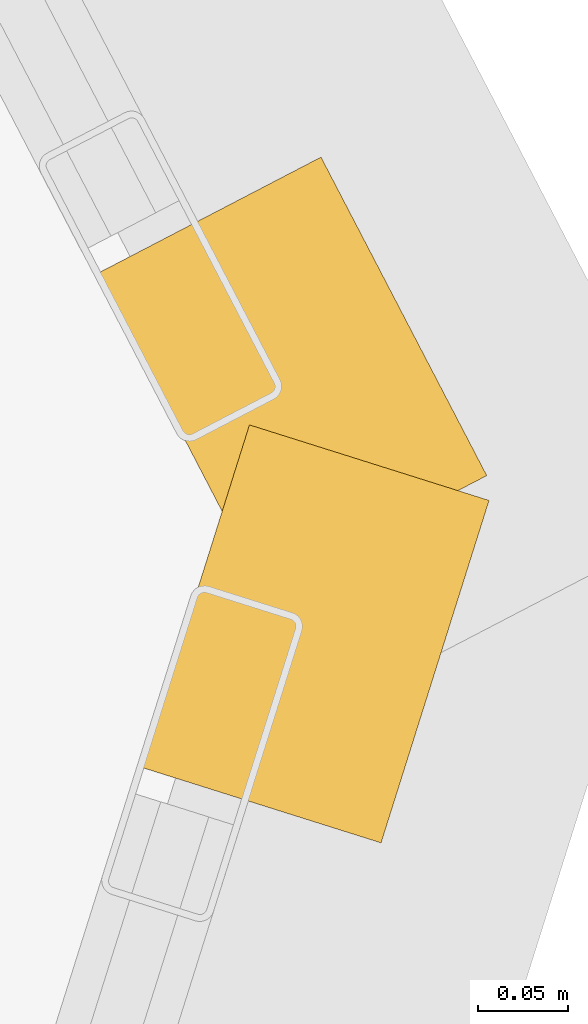
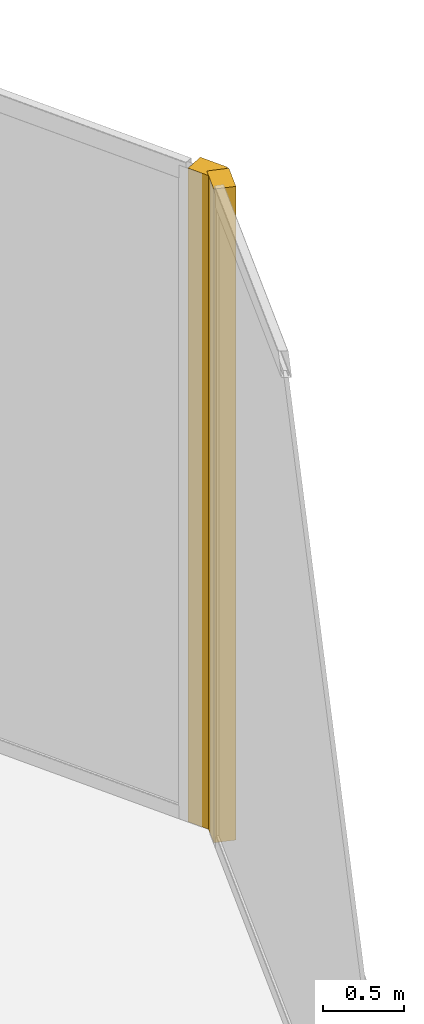
# One storey, part 28 of 28: 2 coverings.
"""IFC4 building model written with IfcOpenShell, lengths in metres."""

from ifc_helpers import new_model, si_unit, direction, frame, origin, origin_2d, place, context, subcontext, project, spatial, rectangle, extrude, source, transform, mapped, material, layer, layer_set, type_object, element, save


model = new_model("IFC4")

# Units and contexts
model_context = context("Model", 3, precision=1e-05, world=origin(), true_north=direction((0.0, 1.0)))
body_context = subcontext(model_context, "Body", "Model", "MODEL_VIEW")
ifc_project = project(units=[si_unit("LENGTHUNIT", "METRE"), si_unit("AREAUNIT", "SQUARE_METRE"), si_unit("VOLUMEUNIT", "CUBIC_METRE"), si_unit("PLANEANGLEUNIT", "RADIAN"), si_unit("MASSUNIT", "GRAM", prefix="KILO")], contexts=[model_context])

# Site, building, storey
site_placement = place(None, origin())
site = spatial("IfcSite", under=ifc_project, at=site_placement, CompositionType="ELEMENT")
building_placement = place(site_placement, origin())
building = spatial("IfcBuilding", under=site, at=building_placement, Name="Torre Montelarca", CompositionType="ELEMENT")
storey_placement = place(building_placement, frame((0.0, 0.0, 116.800048828125)))
storey = spatial("IfcBuildingStorey", under=building, at=storey_placement, Name="L26", CompositionType="ELEMENT", Elevation=116.800048828125)

# Coverings
ifc_material = material(Name="Bush-hammered warm white precast concrete C45/55", Category="concrete")
ifc_layer = layer(ifc_material, 0.139892578125, Name="Bush-hammered warm white precast concrete C45/55", Category="concrete")
ifc_layer_set = layer_set([ifc_layer], Name="Bush-hammered warm white precast concrete C45/55")
covering_type = type_object("IfcCoveringType", Name="COV-TRAY-CLAD", PredefinedType="CLADDING", material=ifc_layer_set)
shared_shape = source(origin(), body_context, "Body", "SweptSolid", [
    extrude(rectangle(XDim=0.199951171875, YDim=0.139892578125, at=origin_2d()), origin(), (0.0, 0.0, 1.0), 4.919921875),
])
for number, where, z_axis, x_axis, name in (
    (1, (65.335205078125, 30.3251953125, 0.0), (0.0, 0.0, 1.0), (0.300707464054, 0.953716425916, 0.0), "L26 Architectural Column Pier Cladding E06-2"),
    (2, (65.322509765625, 30.4697265625, 0.0), (0.0, 0.0, 1.0), (-0.461748613235, 0.887010833178, 0.0), "L26 Architectural Column Pier Cladding E07-1"),
):
    element("IfcCovering", number, at=place(storey_placement, frame(where, z_axis=z_axis, x_axis=x_axis)), inside=storey, type_object=covering_type, Name=name, PredefinedType="CLADDING", context=body_context, shape_type="MappedRepresentation", body=[
        mapped(shared_shape, transform((0.0, 0.0, 0.0), scale=1.0)),
    ])

save(model, "model.ifc")
